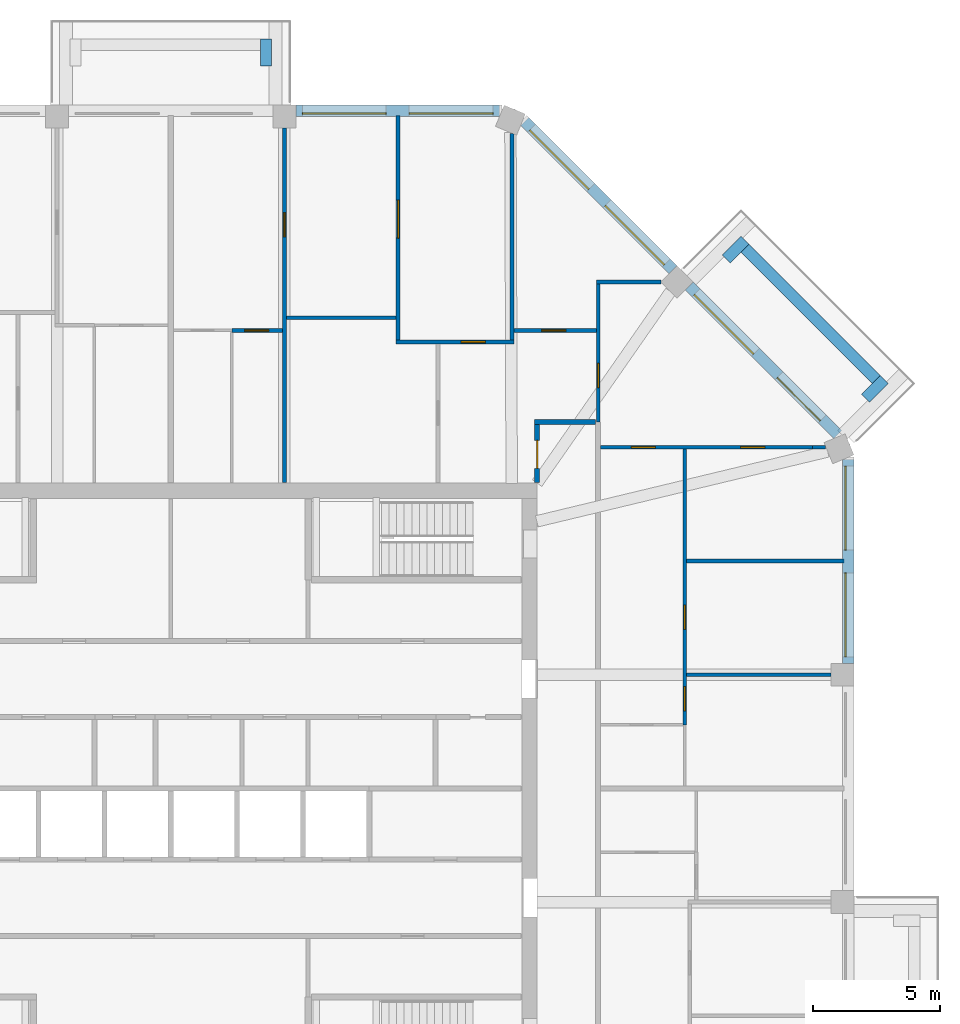
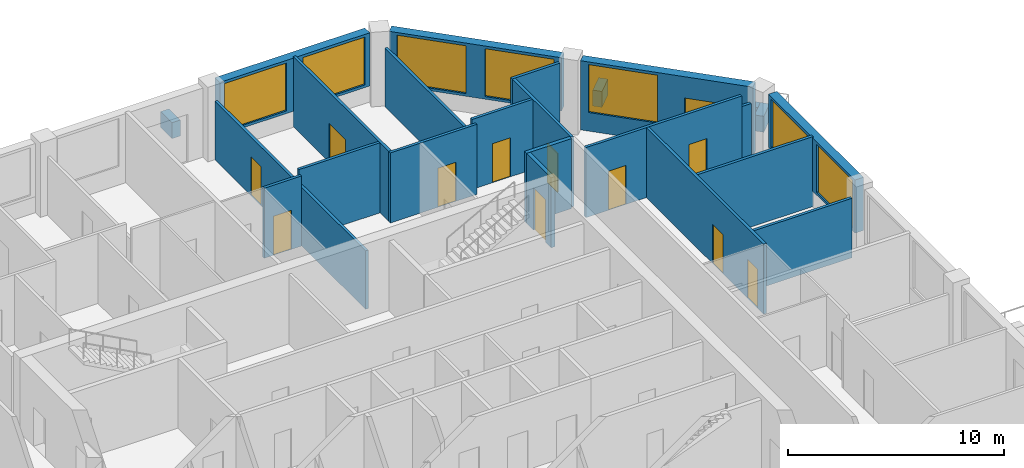
# One storey, part 9 of 11: 24 walls, 12 doors, 7 windows, 19 openings.
"""IFC4 building model written with IfcOpenShell, lengths in metres."""

from ifc_helpers import new_model, si_unit, direction, frame, frame_2d, origin, place, context, subcontext, project, spatial, rectangle, extrude, material, layer, layer_set, type_object, element, fill, save


model = new_model("IFC4")

# Units and contexts
model_context = context("Model", 3, precision=1e-05, world=origin(), true_north=direction((0.0, 1.0)))
body_context = subcontext(model_context, "Body", "Model", "MODEL_VIEW")
ifc_project = project(units=[si_unit("LENGTHUNIT", "METRE"), si_unit("AREAUNIT", "SQUARE_METRE"), si_unit("VOLUMEUNIT", "CUBIC_METRE"), si_unit("PLANEANGLEUNIT", "RADIAN"), si_unit("MASSUNIT", "GRAM", prefix="KILO")], contexts=[model_context])

# Site, building, storey
site_placement = place(None, origin())
site = spatial("IfcSite", under=ifc_project, at=site_placement, CompositionType="ELEMENT")
building_placement = place(site_placement, origin())
building = spatial("IfcBuilding", under=site, at=building_placement, Name="Msitu Wima Residences", CompositionType="ELEMENT")
storey_placement = place(building_placement, frame((0.0, 0.0, 226.5)))
storey = spatial("IfcBuildingStorey", under=building, at=storey_placement, Name="L52", CompositionType="ELEMENT", Elevation=226.5)

# Walls
ifc_material_1 = material(Name="Facing brick")
ifc_layer_1 = layer(ifc_material_1, 0.06494140625, Name="Facing brick")
ifc_material_2 = material(Name="Concrete C40/50", Category="concrete")
ifc_layer_2 = layer(ifc_material_2, 0.156005859375, Name="Concrete C40/50")
ifc_material_3 = material(Name="Waterproofing membrane")
ifc_layer_3 = layer(ifc_material_3, 0.00390625, Name="Waterproofing membrane")
ifc_material_4 = material(Name="Planting soil and planting")
ifc_layer_4 = layer(ifc_material_4, 0.22509765625, Name="Planting soil and planting")
ifc_layer_set_1 = layer_set([ifc_layer_1, ifc_layer_2, ifc_layer_3, ifc_layer_4], Name="Concrete C40/50")
wall_type_1 = type_object("IfcWallType", Name="Balcony planter PLANTER PL450", PredefinedType="USERDEFINED", material=ifc_layer_set_1)
wall_1_placement = place(storey_placement, frame((27.725830078125, 16.0751953125, 0.0), z_axis=(0.0, 0.0, 1.0), x_axis=(-0.707106781187, 0.707106781187, 0.0)))
element("IfcWall", 1, at=wall_1_placement, inside=storey, type_object=wall_type_1, Name="Balcony planter NE0 L52", ObjectType="PLANTER", PredefinedType="USERDEFINED", context=body_context, shape_type="SweptSolid", body=[
    extrude(rectangle(XDim=7.288330078125, YDim=0.449951171875, at=frame_2d((3.64404296875, 0.0))), origin(), (0.0, 0.0, 1.0), 0.89990234375),
])
for number, where, z_axis, x_axis, name in (
    (2, (27.301513671875, 15.332763671875, 0.0), (0.0, 0.0, 1.0), (0.707106781187, 0.707106781187, 0.0), "Balcony planter NE0 L52"),
    (3, (21.829833984375, 20.804443359375, 0.0), (0.0, 0.0, 1.0), (0.707106781187, 0.707106781187, 0.0), "Balcony planter NE0 L52"),
    (4, (3.74365234375, 28.39990234375, 0.0), (0.0, 0.0, 1.0), (0.0, 1.0, 0.0), "Balcony planter N1 L52"),
):
    element("IfcWall", number, at=place(storey_placement, frame(where, z_axis=z_axis, x_axis=x_axis)), inside=storey, type_object=wall_type_1, Name=name, ObjectType="PLANTER", PredefinedType="USERDEFINED", context=body_context, shape_type="SweptSolid", body=[
        extrude(rectangle(XDim=1.050048828125, YDim=0.449951171875, at=frame_2d((0.52490234375, 0.0))), origin(), (0.0, 0.0, 1.0), 0.89990234375),
    ])

# Wall, openings, windows
ifc_material_5 = material(Name="Brick (red buff mix)", Category="masonry")
ifc_layer_5 = layer(ifc_material_5, 0.449951171875)
ifc_layer_set_2 = layer_set([ifc_layer_5], Name="Brick (red buff mix)")
wall_type_2 = type_object("IfcWallType", Name="Brick infill wall BW450", PredefinedType="SOLIDWALL", material=ifc_layer_set_2)
wall_2_placement = place(storey_placement, frame((26.625, 4.918701171875, 0.89990234375), z_axis=(0.0, 0.0, 1.0), x_axis=(0.0, 1.0, 0.0)))
wall_2 = element("IfcWall", 5, at=wall_2_placement, inside=storey, type_object=wall_type_2, Name="Brick infill wall L52 E2", PredefinedType="SOLIDWALL", context=body_context, shape_type="SweptSolid", body=[
    extrude(rectangle(XDim=8.0, YDim=0.449951171875, at=frame_2d((4.0, 0.0))), origin(), (0.0, 0.0, 1.0), 3.0),
])
opening_1_placement = place(wall_2_placement, frame((0.25, 0.0, 0.14990234375)))
opening_1 = element("IfcOpeningElement", 6, at=opening_1_placement, cuts=wall_2, Name="Opening W52-54.004", PredefinedType="OPENING", context=body_context, shape_type="SweptSolid", body=[
    extrude(rectangle(XDim=3.300048828125, YDim=2.699951171875, at=frame_2d((1.64990234375, 1.35009765625))), frame((0.0, 0.23486328125, 0.0), z_axis=(0.0, -1.0, 0.0), x_axis=(1.0, 0.0, 0.0)), (0.0, 0.0, 1.0), 0.469970703125),
])
opening_2_placement = place(wall_2_placement, frame((4.4501953125, 0.0, 0.14990234375)))
opening_2 = element("IfcOpeningElement", 7, at=opening_2_placement, cuts=wall_2, Name="Opening W52-54.005", PredefinedType="OPENING", context=body_context, shape_type="SweptSolid", body=[
    extrude(rectangle(XDim=3.300048828125, YDim=2.699951171875, at=frame_2d((1.64990234375, 1.35009765625))), frame((0.0, 0.23486328125, 0.0), z_axis=(0.0, -1.0, 0.0), x_axis=(1.0, 0.0, 0.0)), (0.0, 0.0, 1.0), 0.469970703125),
])
ifc_material_6 = material(Name="Anodised aluminium, bronze finish, clear low-emissivity double glazing", Category="aluminium")
window_type = type_object("IfcWindowType", Name="Window W3300x2700", PartitioningType="DOUBLE_PANEL_VERTICAL", PredefinedType="WINDOW", material=ifc_material_6)
window_1_placement = place(opening_1_placement, origin())
window_1 = element("IfcWindow", 8, at=window_1_placement, inside=storey, type_object=window_type, Name="Window L52 E2.1", OverallHeight=2.699951171875, OverallWidth=3.300048828125, PartitioningType="SINGLE_PANEL", PredefinedType="WINDOW", context=body_context, shape_type="SweptSolid", body=[
    extrude(rectangle(XDim=3.300048828125, YDim=2.699951171875, at=frame_2d((1.64990234375, 1.35009765625))), frame((0.0, 0.135009765625, 0.0), z_axis=(0.0, -1.0, 0.0), x_axis=(1.0, 0.0, 0.0)), (0.0, 0.0, 1.0), 0.06005859375),
])
fill(opening_1, window_1)
window_2_placement = place(opening_2_placement, origin())
window_2 = element("IfcWindow", 9, at=window_2_placement, inside=storey, type_object=window_type, Name="Window L52 E2.2", OverallHeight=2.699951171875, OverallWidth=3.300048828125, PartitioningType="SINGLE_PANEL", PredefinedType="WINDOW", context=body_context, shape_type="SweptSolid", body=[
    extrude(rectangle(XDim=3.300048828125, YDim=2.699951171875, at=frame_2d((1.64990234375, 1.35009765625))), frame((0.0, 0.135009765625, 0.0), z_axis=(0.0, -1.0, 0.0), x_axis=(1.0, 0.0, 0.0)), (0.0, 0.0, 1.0), 0.06005859375),
])
fill(opening_2, window_2)

# Wall, openings, door, window
wall_3_placement = place(storey_placement, frame((26.214599609375, 13.909423828125, 0.0), z_axis=(0.0, 0.0, 1.0), x_axis=(-0.707106781187, 0.707106781187, 0.0)))
wall_3 = element("IfcWall", 10, at=wall_3_placement, inside=storey, type_object=wall_type_2, Name="Brick infill wall L52 NE0", PredefinedType="SOLIDWALL", context=body_context, shape_type="SweptSolid", body=[
    extrude(rectangle(XDim=8.251220703125, YDim=0.449951171875, at=frame_2d((4.12548828125, 0.0))), origin(), (0.0, 0.0, 1.0), 3.89990234375),
])
opening_3_placement = place(wall_3_placement, frame((0.86279296875, 0.0, 0.0)))
opening_3 = element("IfcOpeningElement", 11, at=opening_3_placement, cuts=wall_3, Name="Opening D52-54.003", PredefinedType="OPENING", context=body_context, shape_type="SweptSolid", body=[
    extrude(rectangle(XDim=2.39990234375, YDim=2.699951171875, at=frame_2d((1.199951171875, 1.35009765625))), frame((0.0, 0.23486328125, 0.0), z_axis=(0.0, -1.0, 0.0), x_axis=(1.0, 0.0, 0.0)), (0.0, 0.0, 1.0), 0.469970703125),
])
opening_4_placement = place(wall_3_placement, frame((4.57568359375, 0.0, 1.050048828125)))
opening_4 = element("IfcOpeningElement", 12, at=opening_4_placement, cuts=wall_3, Name="Opening W52-54.011", PredefinedType="OPENING", context=body_context, shape_type="SweptSolid", body=[
    extrude(rectangle(XDim=3.300048828125, YDim=2.699951171875, at=frame_2d((1.64990234375, 1.35009765625))), frame((0.0, 0.23486328125, 0.0), z_axis=(0.0, -1.0, 0.0), x_axis=(1.0, 0.0, 0.0)), (0.0, 0.0, 1.0), 0.469970703125),
])
door_type_1 = type_object("IfcDoorType", Name="Balcony door D2400x2700", OperationType="SLIDING_TO_LEFT", PredefinedType="DOOR", material=ifc_material_6)
door_1_placement = place(opening_3_placement, origin())
door_1 = element("IfcDoor", 13, at=door_1_placement, inside=storey, type_object=door_type_1, Name="Balcony door L52 NE0", OperationType="SINGLE_SWING_LEFT", OverallHeight=2.699951171875, OverallWidth=2.39990234375, PredefinedType="DOOR", context=body_context, shape_type="SweptSolid", body=[
    extrude(rectangle(XDim=2.39990234375, YDim=2.699951171875, at=frame_2d((1.199951171875, 1.35009765625))), frame((0.0, 0.1298828125, 0.0), z_axis=(0.0, -1.0, 0.0), x_axis=(1.0, 0.0, 0.0)), (0.0, 0.0, 1.0), 0.050048828125),
])
fill(opening_3, door_1)
window_3_placement = place(opening_4_placement, origin())
window_3 = element("IfcWindow", 14, at=window_3_placement, inside=storey, type_object=window_type, Name="Window L52 NE0.2", OverallHeight=2.699951171875, OverallWidth=3.300048828125, PartitioningType="SINGLE_PANEL", PredefinedType="WINDOW", context=body_context, shape_type="SweptSolid", body=[
    extrude(rectangle(XDim=3.300048828125, YDim=2.699951171875, at=frame_2d((1.64990234375, 1.35009765625))), frame((0.0, 0.135009765625, 0.0), z_axis=(0.0, -1.0, 0.0), x_axis=(1.0, 0.0, 0.0)), (0.0, 0.0, 1.0), 0.06005859375),
])
fill(opening_4, window_3)

# Wall, openings, windows
wall_4_placement = place(storey_placement, frame((19.743896484375, 20.380126953125, 0.89990234375), z_axis=(0.0, 0.0, 1.0), x_axis=(-0.707106781187, 0.707106781187, 0.0)))
wall_4 = element("IfcWall", 15, at=wall_4_placement, inside=storey, type_object=wall_type_2, Name="Brick infill wall L52 NE1", PredefinedType="SOLIDWALL", context=body_context, shape_type="SweptSolid", body=[
    extrude(rectangle(XDim=8.251220703125, YDim=0.449951171875, at=frame_2d((4.12548828125, 0.0))), origin(), (0.0, 0.0, 1.0), 3.0),
])
opening_5_placement = place(wall_4_placement, frame((0.37548828125, 0.0, 0.14990234375)))
opening_5 = element("IfcOpeningElement", 16, at=opening_5_placement, cuts=wall_4, Name="Opening W52-54.012", PredefinedType="OPENING", context=body_context, shape_type="SweptSolid", body=[
    extrude(rectangle(XDim=3.300048828125, YDim=2.699951171875, at=frame_2d((1.64990234375, 1.35009765625))), frame((0.0, 0.23486328125, 0.0), z_axis=(0.0, -1.0, 0.0), x_axis=(1.0, 0.0, 0.0)), (0.0, 0.0, 1.0), 0.469970703125),
])
opening_6_placement = place(wall_4_placement, frame((4.57568359375, 0.0, 0.14990234375)))
opening_6 = element("IfcOpeningElement", 17, at=opening_6_placement, cuts=wall_4, Name="Opening W52-54.013", PredefinedType="OPENING", context=body_context, shape_type="SweptSolid", body=[
    extrude(rectangle(XDim=3.300048828125, YDim=2.699951171875, at=frame_2d((1.64990234375, 1.35009765625))), frame((0.0, 0.23486328125, 0.0), z_axis=(0.0, -1.0, 0.0), x_axis=(1.0, 0.0, 0.0)), (0.0, 0.0, 1.0), 0.469970703125),
])
window_4_placement = place(opening_5_placement, origin())
window_4 = element("IfcWindow", 18, at=window_4_placement, inside=storey, type_object=window_type, Name="Window L52 NE1.1", OverallHeight=2.699951171875, OverallWidth=3.300048828125, PartitioningType="SINGLE_PANEL", PredefinedType="WINDOW", context=body_context, shape_type="SweptSolid", body=[
    extrude(rectangle(XDim=3.300048828125, YDim=2.699951171875, at=frame_2d((1.64990234375, 1.35009765625))), frame((0.0, 0.135009765625, 0.0), z_axis=(0.0, -1.0, 0.0), x_axis=(1.0, 0.0, 0.0)), (0.0, 0.0, 1.0), 0.06005859375),
])
fill(opening_5, window_4)
window_5_placement = place(opening_6_placement, origin())
window_5 = element("IfcWindow", 19, at=window_5_placement, inside=storey, type_object=window_type, Name="Window L52 NE1.2", OverallHeight=2.699951171875, OverallWidth=3.300048828125, PartitioningType="SINGLE_PANEL", PredefinedType="WINDOW", context=body_context, shape_type="SweptSolid", body=[
    extrude(rectangle(XDim=3.300048828125, YDim=2.699951171875, at=frame_2d((1.64990234375, 1.35009765625))), frame((0.0, 0.135009765625, 0.0), z_axis=(0.0, -1.0, 0.0), x_axis=(1.0, 0.0, 0.0)), (0.0, 0.0, 1.0), 0.06005859375),
])
fill(opening_6, window_5)

wall_5_placement = place(storey_placement, frame((12.918701171875, 26.625, 0.89990234375), z_axis=(0.0, 0.0, 1.0), x_axis=(-1.0, 0.0, 0.0)))
wall_5 = element("IfcWall", 20, at=wall_5_placement, inside=storey, type_object=wall_type_2, Name="Brick infill wall L52 N0", PredefinedType="SOLIDWALL", context=body_context, shape_type="SweptSolid", body=[
    extrude(rectangle(XDim=8.0, YDim=0.449951171875, at=frame_2d((4.0, 0.0))), origin(), (0.0, 0.0, 1.0), 3.0),
])
opening_7_placement = place(wall_5_placement, frame((0.25, 0.0, 0.14990234375)))
opening_7 = element("IfcOpeningElement", 21, at=opening_7_placement, cuts=wall_5, Name="Opening W52-54.006", PredefinedType="OPENING", context=body_context, shape_type="SweptSolid", body=[
    extrude(rectangle(XDim=3.300048828125, YDim=2.699951171875, at=frame_2d((1.64990234375, 1.35009765625))), frame((0.0, 0.23486328125, 0.0), z_axis=(0.0, -1.0, 0.0), x_axis=(1.0, 0.0, 0.0)), (0.0, 0.0, 1.0), 0.469970703125),
])
opening_8_placement = place(wall_5_placement, frame((4.4501953125, 0.0, 0.14990234375)))
opening_8 = element("IfcOpeningElement", 22, at=opening_8_placement, cuts=wall_5, Name="Opening W52-54.007", PredefinedType="OPENING", context=body_context, shape_type="SweptSolid", body=[
    extrude(rectangle(XDim=3.300048828125, YDim=2.699951171875, at=frame_2d((1.64990234375, 1.35009765625))), frame((0.0, 0.23486328125, 0.0), z_axis=(0.0, -1.0, 0.0), x_axis=(1.0, 0.0, 0.0)), (0.0, 0.0, 1.0), 0.469970703125),
])
window_6_placement = place(opening_7_placement, origin())
window_6 = element("IfcWindow", 23, at=window_6_placement, inside=storey, type_object=window_type, Name="Window L52 N0.1", OverallHeight=2.699951171875, OverallWidth=3.300048828125, PartitioningType="SINGLE_PANEL", PredefinedType="WINDOW", context=body_context, shape_type="SweptSolid", body=[
    extrude(rectangle(XDim=3.300048828125, YDim=2.699951171875, at=frame_2d((1.64990234375, 1.35009765625))), frame((0.0, 0.135009765625, 0.0), z_axis=(0.0, -1.0, 0.0), x_axis=(1.0, 0.0, 0.0)), (0.0, 0.0, 1.0), 0.06005859375),
])
fill(opening_7, window_6)
window_7_placement = place(opening_8_placement, origin())
window_7 = element("IfcWindow", 24, at=window_7_placement, inside=storey, type_object=window_type, Name="Window L52 N0.2", OverallHeight=2.699951171875, OverallWidth=3.300048828125, PartitioningType="SINGLE_PANEL", PredefinedType="WINDOW", context=body_context, shape_type="SweptSolid", body=[
    extrude(rectangle(XDim=3.300048828125, YDim=2.699951171875, at=frame_2d((1.64990234375, 1.35009765625))), frame((0.0, 0.135009765625, 0.0), z_axis=(0.0, -1.0, 0.0), x_axis=(1.0, 0.0, 0.0)), (0.0, 0.0, 1.0), 0.06005859375),
])
fill(opening_8, window_7)

# Wall, opening, door
ifc_material_7 = material(Name="Plaster")
ifc_layer_6 = layer(ifc_material_7, 0.011962890625, Name="Plaster")
ifc_material_8 = material(Name="Concrete blockwork", Category="masonry")
ifc_layer_7 = layer(ifc_material_8, 0.176025390625, Name="Concrete blockwork")
ifc_layer_8 = layer(ifc_material_7, 0.011962890625, Name="Plaster")
ifc_layer_set_3 = layer_set([ifc_layer_6, ifc_layer_7, ifc_layer_8], Name="Concrete blockwork")
wall_type_3 = type_object("IfcWallType", Name="Corridor wall FW200", PredefinedType="PARTITIONING", material=ifc_layer_set_3)
wall_6_placement = place(storey_placement, frame((14.39990234375, 12.030029296875, 0.0), z_axis=(0.0, 0.0, 1.0), x_axis=(0.0, 1.0, 0.0)))
wall_6 = element("IfcWall", 25, at=wall_6_placement, inside=storey, type_object=wall_type_3, Name="Corridor wall", PredefinedType="PARTITIONING", context=body_context, shape_type="SweptSolid", body=[
    extrude(rectangle(XDim=2.27001953125, YDim=0.199951171875, at=frame_2d((1.135009765625, 0.0))), origin(), (0.0, 0.0, 1.0), 3.949951171875),
])
opening_9_placement = place(wall_6_placement, frame((0.550048828125, 0.0, 0.0)))
opening_9 = element("IfcOpeningElement", 26, at=opening_9_placement, cuts=wall_6, Name="Opening D52-54.008", PredefinedType="OPENING", context=body_context, shape_type="SweptSolid", body=[
    extrude(rectangle(XDim=1.10009765625, YDim=2.39990234375, at=frame_2d((0.550048828125, 1.199951171875))), frame((0.0, 0.10986328125, 0.0), z_axis=(0.0, -1.0, 0.0), x_axis=(1.0, 0.0, 0.0)), (0.0, 0.0, 1.0), 0.219970703125),
])
ifc_material_9 = material(Name="Timber flush door, fire resisting, self-closing", Category="wood")
door_type_2 = type_object("IfcDoorType", Name="Flat entrance door D01 1100x2400", OperationType="SINGLE_SWING_LEFT", PredefinedType="DOOR", material=ifc_material_9)
door_2_placement = place(opening_9_placement, origin())
door_2 = element("IfcDoor", 27, at=door_2_placement, inside=storey, type_object=door_type_2, Name="Flat entrance door", OperationType="SINGLE_SWING_LEFT", OverallHeight=2.39990234375, OverallWidth=1.10009765625, PredefinedType="DOOR", context=body_context, shape_type="SweptSolid", body=[
    extrude(rectangle(XDim=1.10009765625, YDim=2.39990234375, at=frame_2d((0.550048828125, 1.199951171875))), frame((0.0, 0.02490234375, 0.0), z_axis=(0.0, -1.0, 0.0), x_axis=(1.0, 0.0, 0.0)), (0.0, 0.0, 1.0), 0.050048828125),
])
fill(opening_9, door_2)

# Wall
wall_7_placement = place(storey_placement, frame((14.300048828125, 14.39990234375, 0.0), z_axis=(0.0, 0.0, 1.0), x_axis=(1.0, 0.0, 0.0)))
element("IfcWall", 28, at=wall_7_placement, inside=storey, type_object=wall_type_3, Name="Corridor wall", PredefinedType="PARTITIONING", context=body_context, shape_type="SweptSolid", body=[
    extrude(rectangle(XDim=2.39990234375, YDim=0.199951171875, at=frame_2d((1.199951171875, 0.0))), origin(), (0.0, 0.0, 1.0), 3.949951171875),
])

# Wall, opening, door
ifc_layer_9 = layer(ifc_material_7, 0.011962890625, Name="Plaster")
ifc_layer_10 = layer(ifc_material_8, 0.1259765625, Name="Concrete blockwork")
ifc_layer_11 = layer(ifc_material_7, 0.011962890625, Name="Plaster")
ifc_layer_set_4 = layer_set([ifc_layer_9, ifc_layer_10, ifc_layer_11], Name="Concrete blockwork")
wall_type_4 = type_object("IfcWallType", Name="Partition PW150", PredefinedType="PARTITIONING", material=ifc_layer_set_4)
wall_8_placement = place(storey_placement, frame((2.39990234375, 18.0, 0.0), z_axis=(0.0, 0.0, 1.0), x_axis=(1.0, 0.0, 0.0)))
wall_8 = element("IfcWall", 29, at=wall_8_placement, inside=storey, type_object=wall_type_4, Name="Partition", PredefinedType="PARTITIONING", context=body_context, shape_type="SweptSolid", body=[
    extrude(rectangle(XDim=1.99365234375, YDim=0.14990234375, at=frame_2d((0.996826171875, 0.0))), origin(), (0.0, 0.0, 1.0), 3.949951171875),
])
opening_10_placement = place(wall_8_placement, frame((0.5, 0.0, 0.0)))
opening_10 = element("IfcOpeningElement", 30, at=opening_10_placement, cuts=wall_8, Name="Opening D52-54.013", PredefinedType="OPENING", context=body_context, shape_type="SweptSolid", body=[
    extrude(rectangle(XDim=0.949951171875, YDim=2.199951171875, at=frame_2d((0.47509765625, 1.10009765625))), frame((0.0, 0.0849609375, 0.0), z_axis=(0.0, -1.0, 0.0), x_axis=(1.0, 0.0, 0.0)), (0.0, 0.0, 1.0), 0.169921875),
])
ifc_material_10 = material(Name="Timber flush door", Category="wood")
door_type_3 = type_object("IfcDoorType", Name="Room door D12 950x2200", OperationType="SINGLE_SWING_LEFT", PredefinedType="DOOR", material=ifc_material_10)
door_3_placement = place(opening_10_placement, origin())
door_3 = element("IfcDoor", 31, at=door_3_placement, inside=storey, type_object=door_type_3, Name="Room door", OperationType="SINGLE_SWING_RIGHT", OverallHeight=2.199951171875, OverallWidth=0.949951171875, PredefinedType="DOOR", context=body_context, shape_type="SweptSolid", body=[
    extrude(rectangle(XDim=0.949951171875, YDim=2.199951171875, at=frame_2d((0.47509765625, 1.10009765625))), frame((0.0, 0.02490234375, 0.0), z_axis=(0.0, -1.0, 0.0), x_axis=(1.0, 0.0, 0.0)), (0.0, 0.0, 1.0), 0.050048828125),
])
fill(opening_10, door_3)

wall_9_placement = place(storey_placement, frame((4.46875, 12.030029296875, 0.0), z_axis=(0.0, 0.0, 1.0), x_axis=(0.0, 1.0, 0.0)))
wall_9 = element("IfcWall", 32, at=wall_9_placement, inside=storey, type_object=wall_type_4, Name="Partition", PredefinedType="PARTITIONING", context=body_context, shape_type="SweptSolid", body=[
    extrude(rectangle(XDim=13.919921875, YDim=0.14990234375, at=frame_2d((6.9599609375, 0.0))), origin(), (0.0, 0.0, 1.0), 3.300048828125),
])
opening_11_placement = place(wall_9_placement, frame((9.64990234375, 0.0, 0.0)))
opening_11 = element("IfcOpeningElement", 33, at=opening_11_placement, cuts=wall_9, Name="Opening D52-54.010", PredefinedType="OPENING", context=body_context, shape_type="SweptSolid", body=[
    extrude(rectangle(XDim=0.949951171875, YDim=2.199951171875, at=frame_2d((0.47509765625, 1.10009765625))), frame((0.0, 0.0849609375, 0.0), z_axis=(0.0, -1.0, 0.0), x_axis=(1.0, 0.0, 0.0)), (0.0, 0.0, 1.0), 0.169921875),
])
door_4_placement = place(opening_11_placement, origin())
door_4 = element("IfcDoor", 34, at=door_4_placement, inside=storey, type_object=door_type_3, Name="Room door", OperationType="SINGLE_SWING_RIGHT", OverallHeight=2.199951171875, OverallWidth=0.949951171875, PredefinedType="DOOR", context=body_context, shape_type="SweptSolid", body=[
    extrude(rectangle(XDim=0.949951171875, YDim=2.199951171875, at=frame_2d((0.47509765625, 1.10009765625))), frame((0.0, 0.02490234375, 0.0), z_axis=(0.0, -1.0, 0.0), x_axis=(1.0, 0.0, 0.0)), (0.0, 0.0, 1.0), 0.050048828125),
])
fill(opening_11, door_4)

# Wall
wall_10_placement = place(storey_placement, frame((4.543701171875, 18.5, 0.0), z_axis=(0.0, 0.0, 1.0), x_axis=(1.0, 0.0, 0.0)))
element("IfcWall", 35, at=wall_10_placement, inside=storey, type_object=wall_type_4, Name="Partition", PredefinedType="PARTITIONING", context=body_context, shape_type="SweptSolid", body=[
    extrude(rectangle(XDim=4.318603515625, YDim=0.14990234375, at=frame_2d((2.1591796875, 0.0))), origin(), (0.0, 0.0, 1.0), 3.949951171875),
])

# Wall, opening, door
wall_11_placement = place(storey_placement, frame((8.937255859375, 17.625, 0.0), z_axis=(0.0, 0.0, 1.0), x_axis=(0.0, 1.0, 0.0)))
wall_11 = element("IfcWall", 36, at=wall_11_placement, inside=storey, type_object=wall_type_4, Name="Partition", PredefinedType="PARTITIONING", context=body_context, shape_type="SweptSolid", body=[
    extrude(rectangle(XDim=8.830078125, YDim=0.14990234375, at=frame_2d((4.4150390625, 0.0))), origin(), (0.0, 0.0, 1.0), 3.949951171875),
])
opening_12_placement = place(wall_11_placement, frame((4.0, 0.0, 0.0)))
opening_12 = element("IfcOpeningElement", 37, at=opening_12_placement, cuts=wall_11, Name="Opening D52-54.017", PredefinedType="OPENING", context=body_context, shape_type="SweptSolid", body=[
    extrude(rectangle(XDim=1.5, YDim=2.199951171875, at=frame_2d((0.75, 1.10009765625))), frame((0.0, 0.0849609375, 0.0), z_axis=(0.0, -1.0, 0.0), x_axis=(1.0, 0.0, 0.0)), (0.0, 0.0, 1.0), 0.169921875),
])
ifc_material_11 = material(Name="Timber double door", Category="wood")
door_type_4 = type_object("IfcDoorType", Name="Double door D04 1500x2200", OperationType="DOUBLE_DOOR_SINGLE_SWING", PredefinedType="DOOR", material=ifc_material_11)
door_5_placement = place(opening_12_placement, origin())
door_5 = element("IfcDoor", 38, at=door_5_placement, inside=storey, type_object=door_type_4, Name="Double door", OperationType="DOUBLE_DOOR_SINGLE_SWING", OverallHeight=2.199951171875, OverallWidth=1.5, PredefinedType="DOOR", context=body_context, shape_type="SweptSolid", body=[
    extrude(rectangle(XDim=1.5, YDim=2.199951171875, at=frame_2d((0.75, 1.10009765625))), frame((0.0, 0.02490234375, 0.0), z_axis=(0.0, -1.0, 0.0), x_axis=(1.0, 0.0, 0.0)), (0.0, 0.0, 1.0), 0.050048828125),
])
fill(opening_12, door_5)

wall_12_placement = place(storey_placement, frame((8.8623046875, 17.550048828125, 0.0), z_axis=(0.0, 0.0, 1.0), x_axis=(1.0, 0.0, 0.0)))
wall_12 = element("IfcWall", 39, at=wall_12_placement, inside=storey, type_object=wall_type_4, Name="Partition", PredefinedType="PARTITIONING", context=body_context, shape_type="SweptSolid", body=[
    extrude(rectangle(XDim=4.61865234375, YDim=0.14990234375, at=frame_2d((2.309326171875, 0.0))), origin(), (0.0, 0.0, 1.0), 3.949951171875),
])
opening_13_placement = place(wall_12_placement, frame((2.550048828125, 0.0, 0.0)))
opening_13 = element("IfcOpeningElement", 40, at=opening_13_placement, cuts=wall_12, Name="Opening D52-54.014", PredefinedType="OPENING", context=body_context, shape_type="SweptSolid", body=[
    extrude(rectangle(XDim=0.949951171875, YDim=2.199951171875, at=frame_2d((0.47509765625, 1.10009765625))), frame((0.0, 0.0849609375, 0.0), z_axis=(0.0, -1.0, 0.0), x_axis=(1.0, 0.0, 0.0)), (0.0, 0.0, 1.0), 0.169921875),
])
door_6_placement = place(opening_13_placement, origin())
door_6 = element("IfcDoor", 41, at=door_6_placement, inside=storey, type_object=door_type_3, Name="Room door", OperationType="SINGLE_SWING_RIGHT", OverallHeight=2.199951171875, OverallWidth=0.949951171875, PredefinedType="DOOR", context=body_context, shape_type="SweptSolid", body=[
    extrude(rectangle(XDim=0.949951171875, YDim=2.199951171875, at=frame_2d((0.47509765625, 1.10009765625))), frame((0.0, 0.02490234375, 0.0), z_axis=(0.0, -1.0, 0.0), x_axis=(1.0, 0.0, 0.0)), (0.0, 0.0, 1.0), 0.050048828125),
])
fill(opening_13, door_6)

# Wall
wall_13_placement = place(storey_placement, frame((13.406005859375, 17.625, 0.0), z_axis=(0.0, 0.0, 1.0), x_axis=(0.0, 1.0, 0.0)))
element("IfcWall", 42, at=wall_13_placement, inside=storey, type_object=wall_type_4, Name="Partition", PredefinedType="PARTITIONING", context=body_context, shape_type="SweptSolid", body=[
    extrude(rectangle(XDim=8.106201171875, YDim=0.14990234375, at=frame_2d((4.05322265625, 0.0))), origin(), (0.0, 0.0, 1.0), 3.300048828125),
])

# Wall, opening, door
wall_14_placement = place(storey_placement, frame((13.48095703125, 18.0, 0.0), z_axis=(0.0, 0.0, 1.0), x_axis=(1.0, 0.0, 0.0)))
wall_14 = element("IfcWall", 43, at=wall_14_placement, inside=storey, type_object=wall_type_4, Name="Partition", PredefinedType="PARTITIONING", context=body_context, shape_type="SweptSolid", body=[
    extrude(rectangle(XDim=3.244140625, YDim=0.14990234375, at=frame_2d((1.6220703125, 0.0))), origin(), (0.0, 0.0, 1.0), 3.949951171875),
])
opening_14_placement = place(wall_14_placement, frame((1.10009765625, 0.0, 0.0)))
opening_14 = element("IfcOpeningElement", 44, at=opening_14_placement, cuts=wall_14, Name="Opening D52-54.015", PredefinedType="OPENING", context=body_context, shape_type="SweptSolid", body=[
    extrude(rectangle(XDim=0.949951171875, YDim=2.199951171875, at=frame_2d((0.47509765625, 1.10009765625))), frame((0.0, 0.0849609375, 0.0), z_axis=(0.0, -1.0, 0.0), x_axis=(1.0, 0.0, 0.0)), (0.0, 0.0, 1.0), 0.169921875),
])
door_7_placement = place(opening_14_placement, origin())
door_7 = element("IfcDoor", 45, at=door_7_placement, inside=storey, type_object=door_type_3, Name="Room door", OperationType="SINGLE_SWING_LEFT", OverallHeight=2.199951171875, OverallWidth=0.949951171875, PredefinedType="DOOR", context=body_context, shape_type="SweptSolid", body=[
    extrude(rectangle(XDim=0.949951171875, YDim=2.199951171875, at=frame_2d((0.47509765625, 1.10009765625))), frame((0.0, 0.02490234375, 0.0), z_axis=(0.0, -1.0, 0.0), x_axis=(1.0, 0.0, 0.0)), (0.0, 0.0, 1.0), 0.050048828125),
])
fill(opening_14, door_7)

# Wall, openings, doors
wall_15_placement = place(storey_placement, frame((16.89990234375, 13.406005859375, 0.0), z_axis=(0.0, 0.0, 1.0), x_axis=(1.0, 0.0, 0.0)))
wall_15 = element("IfcWall", 46, at=wall_15_placement, inside=storey, type_object=wall_type_4, Name="Partition", PredefinedType="PARTITIONING", context=body_context, shape_type="SweptSolid", body=[
    extrude(rectangle(XDim=8.32421875, YDim=0.14990234375, at=frame_2d((4.162109375, 0.0))), origin(), (0.0, 0.0, 1.0), 3.949951171875),
])
opening_15_placement = place(wall_15_placement, frame((1.199951171875, 0.0, 0.0)))
opening_15 = element("IfcOpeningElement", 47, at=opening_15_placement, cuts=wall_15, Name="Opening D52-54.018", PredefinedType="OPENING", context=body_context, shape_type="SweptSolid", body=[
    extrude(rectangle(XDim=0.949951171875, YDim=2.199951171875, at=frame_2d((0.47509765625, 1.10009765625))), frame((0.0, 0.0849609375, 0.0), z_axis=(0.0, -1.0, 0.0), x_axis=(1.0, 0.0, 0.0)), (0.0, 0.0, 1.0), 0.169921875),
])
opening_16_placement = place(wall_15_placement, frame((5.5, 0.0, 0.0)))
opening_16 = element("IfcOpeningElement", 48, at=opening_16_placement, cuts=wall_15, Name="Opening D52-54.021", PredefinedType="OPENING", context=body_context, shape_type="SweptSolid", body=[
    extrude(rectangle(XDim=0.949951171875, YDim=2.199951171875, at=frame_2d((0.47509765625, 1.10009765625))), frame((0.0, 0.0849609375, 0.0), z_axis=(0.0, -1.0, 0.0), x_axis=(1.0, 0.0, 0.0)), (0.0, 0.0, 1.0), 0.169921875),
])
door_8_placement = place(opening_15_placement, origin())
door_8 = element("IfcDoor", 49, at=door_8_placement, inside=storey, type_object=door_type_3, Name="Room door", OperationType="SINGLE_SWING_LEFT", OverallHeight=2.199951171875, OverallWidth=0.949951171875, PredefinedType="DOOR", context=body_context, shape_type="SweptSolid", body=[
    extrude(rectangle(XDim=0.949951171875, YDim=2.199951171875, at=frame_2d((0.47509765625, 1.10009765625))), frame((0.0, 0.02490234375, 0.0), z_axis=(0.0, -1.0, 0.0), x_axis=(1.0, 0.0, 0.0)), (0.0, 0.0, 1.0), 0.050048828125),
])
fill(opening_15, door_8)
door_9_placement = place(opening_16_placement, origin())
door_9 = element("IfcDoor", 50, at=door_9_placement, inside=storey, type_object=door_type_3, Name="Room door", OperationType="SINGLE_SWING_RIGHT", OverallHeight=2.199951171875, OverallWidth=0.949951171875, PredefinedType="DOOR", context=body_context, shape_type="SweptSolid", body=[
    extrude(rectangle(XDim=0.949951171875, YDim=2.199951171875, at=frame_2d((0.47509765625, 1.10009765625))), frame((0.0, 0.02490234375, 0.0), z_axis=(0.0, -1.0, 0.0), x_axis=(1.0, 0.0, 0.0)), (0.0, 0.0, 1.0), 0.050048828125),
])
fill(opening_16, door_9)

# Wall
wall_16_placement = place(storey_placement, frame((25.22412109375, 13.406005859375, 0.0), z_axis=(0.0, 0.0, 1.0), x_axis=(1.0, 0.0, 0.0)))
element("IfcWall", 51, at=wall_16_placement, inside=storey, type_object=wall_type_4, Name="Partition", PredefinedType="PARTITIONING", context=body_context, shape_type="SweptSolid", body=[
    extrude(rectangle(XDim=0.507080078125, YDim=0.14990234375, at=frame_2d((0.25341796875, 0.0))), origin(), (0.0, 0.0, 1.0), 3.35009765625),
])

# Wall, opening, door
wall_17_placement = place(storey_placement, frame((16.800048828125, 14.39990234375, 0.0), z_axis=(0.0, 0.0, 1.0), x_axis=(0.0, 1.0, 0.0)))
wall_17 = element("IfcWall", 52, at=wall_17_placement, inside=storey, type_object=wall_type_4, Name="Partition", PredefinedType="PARTITIONING", context=body_context, shape_type="SweptSolid", body=[
    extrude(rectangle(XDim=5.427978515625, YDim=0.14990234375, at=frame_2d((2.7138671875, 0.0))), origin(), (0.0, 0.0, 1.0), 3.949951171875),
])
opening_17_placement = place(wall_17_placement, frame((1.35009765625, 0.0, 0.0)))
opening_17 = element("IfcOpeningElement", 53, at=opening_17_placement, cuts=wall_17, Name="Opening D52-54.016", PredefinedType="OPENING", context=body_context, shape_type="SweptSolid", body=[
    extrude(rectangle(XDim=0.949951171875, YDim=2.199951171875, at=frame_2d((0.47509765625, 1.10009765625))), frame((0.0, 0.0849609375, 0.0), z_axis=(0.0, -1.0, 0.0), x_axis=(1.0, 0.0, 0.0)), (0.0, 0.0, 1.0), 0.169921875),
])
door_10_placement = place(opening_17_placement, origin())
door_10 = element("IfcDoor", 54, at=door_10_placement, inside=storey, type_object=door_type_3, Name="Room door", OperationType="SINGLE_SWING_RIGHT", OverallHeight=2.199951171875, OverallWidth=0.949951171875, PredefinedType="DOOR", context=body_context, shape_type="SweptSolid", body=[
    extrude(rectangle(XDim=0.949951171875, YDim=2.199951171875, at=frame_2d((0.47509765625, 1.10009765625))), frame((0.0, 0.02490234375, 0.0), z_axis=(0.0, -1.0, 0.0), x_axis=(1.0, 0.0, 0.0)), (0.0, 0.0, 1.0), 0.050048828125),
])
fill(opening_17, door_10)

# Wall
wall_18_placement = place(storey_placement, frame((16.72509765625, 19.90283203125, 0.0), z_axis=(0.0, 0.0, 1.0), x_axis=(1.0, 0.0, 0.0)))
element("IfcWall", 55, at=wall_18_placement, inside=storey, type_object=wall_type_4, Name="Partition", PredefinedType="PARTITIONING", context=body_context, shape_type="SweptSolid", body=[
    extrude(rectangle(XDim=2.54150390625, YDim=0.14990234375, at=frame_2d((1.270751953125, 0.0))), origin(), (0.0, 0.0, 1.0), 3.949951171875),
])

# Wall, openings, doors
wall_19_placement = place(storey_placement, frame((20.199951171875, 2.5, 0.0), z_axis=(0.0, 0.0, 1.0), x_axis=(0.0, 1.0, 0.0)))
wall_19 = element("IfcWall", 56, at=wall_19_placement, inside=storey, type_object=wall_type_4, Name="Partition", PredefinedType="PARTITIONING", context=body_context, shape_type="SweptSolid", body=[
    extrude(rectangle(XDim=10.830810546875, YDim=0.14990234375, at=frame_2d((5.41552734375, 0.0))), origin(), (0.0, 0.0, 1.0), 3.949951171875),
])
opening_18_placement = place(wall_19_placement, frame((0.550048828125, 0.0, 0.0)))
opening_18 = element("IfcOpeningElement", 57, at=opening_18_placement, cuts=wall_19, Name="Opening D52-54.019", PredefinedType="OPENING", context=body_context, shape_type="SweptSolid", body=[
    extrude(rectangle(XDim=0.949951171875, YDim=2.199951171875, at=frame_2d((0.47509765625, 1.10009765625))), frame((0.0, 0.0849609375, 0.0), z_axis=(0.0, -1.0, 0.0), x_axis=(1.0, 0.0, 0.0)), (0.0, 0.0, 1.0), 0.169921875),
])
opening_19_placement = place(wall_19_placement, frame((3.75, 0.0, 0.0)))
opening_19 = element("IfcOpeningElement", 58, at=opening_19_placement, cuts=wall_19, Name="Opening D52-54.020", PredefinedType="OPENING", context=body_context, shape_type="SweptSolid", body=[
    extrude(rectangle(XDim=0.949951171875, YDim=2.199951171875, at=frame_2d((0.47509765625, 1.10009765625))), frame((0.0, 0.0849609375, 0.0), z_axis=(0.0, -1.0, 0.0), x_axis=(1.0, 0.0, 0.0)), (0.0, 0.0, 1.0), 0.169921875),
])
door_11_placement = place(opening_18_placement, origin())
door_11 = element("IfcDoor", 59, at=door_11_placement, inside=storey, type_object=door_type_3, Name="Room door", OperationType="SINGLE_SWING_LEFT", OverallHeight=2.199951171875, OverallWidth=0.949951171875, PredefinedType="DOOR", context=body_context, shape_type="SweptSolid", body=[
    extrude(rectangle(XDim=0.949951171875, YDim=2.199951171875, at=frame_2d((0.47509765625, 1.10009765625))), frame((0.0, 0.02490234375, 0.0), z_axis=(0.0, -1.0, 0.0), x_axis=(1.0, 0.0, 0.0)), (0.0, 0.0, 1.0), 0.050048828125),
])
fill(opening_18, door_11)
door_12_placement = place(opening_19_placement, origin())
door_12 = element("IfcDoor", 60, at=door_12_placement, inside=storey, type_object=door_type_3, Name="Room door", OperationType="SINGLE_SWING_LEFT", OverallHeight=2.199951171875, OverallWidth=0.949951171875, PredefinedType="DOOR", context=body_context, shape_type="SweptSolid", body=[
    extrude(rectangle(XDim=0.949951171875, YDim=2.199951171875, at=frame_2d((0.47509765625, 1.10009765625))), frame((0.0, 0.02490234375, 0.0), z_axis=(0.0, -1.0, 0.0), x_axis=(1.0, 0.0, 0.0)), (0.0, 0.0, 1.0), 0.050048828125),
])
fill(opening_19, door_12)

# Walls
wall_20_placement = place(storey_placement, frame((20.27490234375, 4.46875, 0.0), z_axis=(0.0, 0.0, 1.0), x_axis=(1.0, 0.0, 0.0)))
element("IfcWall", 61, at=wall_20_placement, inside=storey, type_object=wall_type_4, Name="Partition", PredefinedType="PARTITIONING", context=body_context, shape_type="SweptSolid", body=[
    extrude(rectangle(XDim=5.675048828125, YDim=0.14990234375, at=frame_2d((2.83740234375, 0.0))), origin(), (0.0, 0.0, 1.0), 3.35009765625),
])
wall_21_placement = place(storey_placement, frame((20.27490234375, 8.937255859375, 0.0), z_axis=(0.0, 0.0, 1.0), x_axis=(1.0, 0.0, 0.0)))
element("IfcWall", 62, at=wall_21_placement, inside=storey, type_object=wall_type_4, Name="Partition", PredefinedType="PARTITIONING", context=body_context, shape_type="SweptSolid", body=[
    extrude(rectangle(XDim=6.18017578125, YDim=0.14990234375, at=frame_2d((3.090087890625, 0.0))), origin(), (0.0, 0.0, 1.0), 3.949951171875),
])

save(model, "model.ifc")
